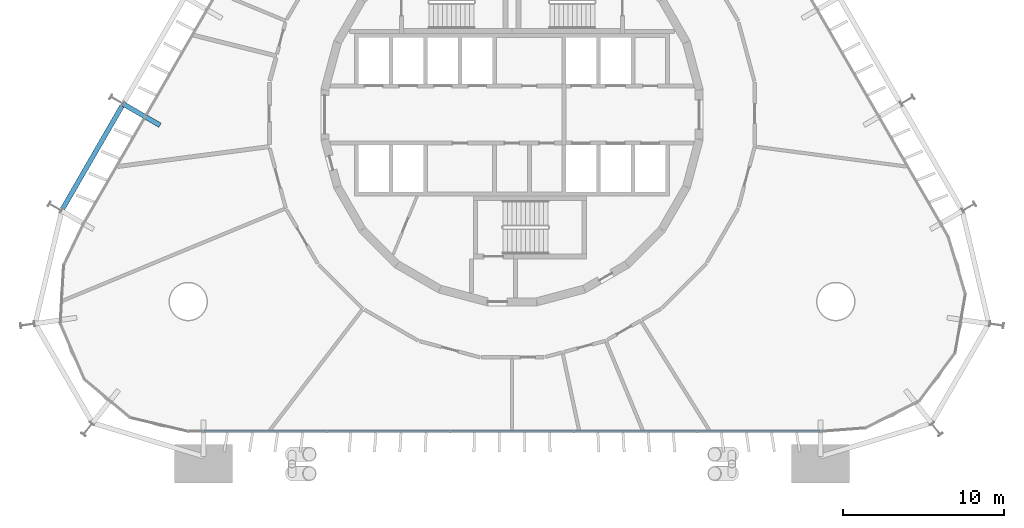
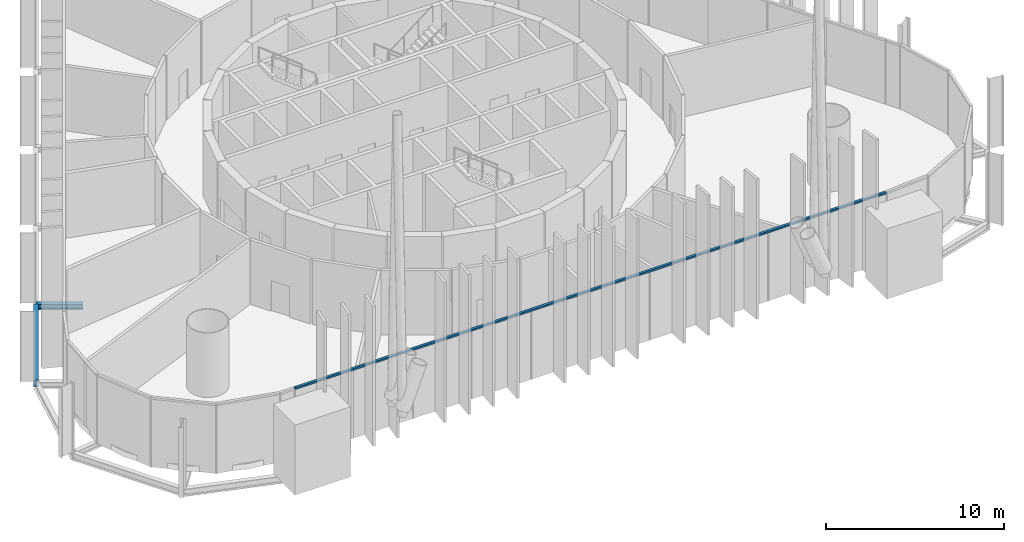
# One storey, part 5 of 18: 2 beams, 1 member, 1 element without a shape of its own.
"""IFC4 building model written with IfcOpenShell, lengths in metres."""

from ifc_helpers import new_model, si_unit, direction, frame, origin, origin_2d, place, context, subcontext, project, spatial, rectangle, i_section, extrude, material, layer, layer_set, material_profile, profile_set, type_object, element, aggregate, save


model = new_model("IFC4")

# Units and contexts
model_context = context("Model", 3, precision=1e-05, world=origin(), true_north=direction((0.0, 1.0)))
body_context = subcontext(model_context, "Body", "Model", "MODEL_VIEW")
ifc_project = project(units=[si_unit("LENGTHUNIT", "METRE"), si_unit("AREAUNIT", "SQUARE_METRE"), si_unit("VOLUMEUNIT", "CUBIC_METRE"), si_unit("PLANEANGLEUNIT", "RADIAN"), si_unit("MASSUNIT", "GRAM", prefix="KILO")], contexts=[model_context])

# Site, building, storey
site_placement = place(None, origin())
site = spatial("IfcSite", under=ifc_project, at=site_placement, CompositionType="ELEMENT")
building_placement = place(site_placement, origin())
building = spatial("IfcBuilding", under=site, at=building_placement, Name="Spindle Arch Residences", CompositionType="ELEMENT")
storey_placement = place(building_placement, frame((0.0, 0.0, 9.0)))
storey = spatial("IfcBuildingStorey", under=building, at=storey_placement, Name="L01", CompositionType="ELEMENT", Elevation=9.0)

# Curtain wall, member
ifc_material_1 = material(Name="Aluminium bronze unitised frame with tinted glass", Category="aluminium")
ifc_layer = layer(ifc_material_1, 0.159912109375)
ifc_layer_set = layer_set([ifc_layer], Name="CW-B amenity podium glazed wall")
curtain_wall_type = type_object("IfcCurtainWallType", Name="CW-B amenity podium glazed wall", PredefinedType="NOTDEFINED", material=ifc_layer_set)
curtain_wall_placement = place(storey_placement, origin())
curtain_wall = element("IfcCurtainWall", 1, at=curtain_wall_placement, inside=storey, type_object=curtain_wall_type, Name="CW-B L01 run 6", PredefinedType="NOTDEFINED")
ifc_material_2 = material(Name="Aluminium bronze anodised transom", Category="aluminium")
ifc_material_profile_1 = material_profile(ifc_material_2, rectangle(XDim=0.159912109375, YDim=0.1201171875, at=origin_2d()), Name="TR 120x160")
ifc_profile_set_1 = profile_set([ifc_material_profile_1], Name="Aluminium bronze anodised transom")
member_type = type_object("IfcMemberType", Name="Bronze transom 120x160", PredefinedType="USERDEFINED", material=ifc_profile_set_1)
member_placement = place(storey_placement, frame((-19.170166015625, -19.7099609375, 4.360107421875), z_axis=(1.0, 0.0, 0.0), x_axis=(0.0, 1.0, 0.0)))
member = element("IfcMember", 2, at=member_placement, type_object=member_type, Name="CW-B transom 00", ObjectType="TRANSOM", PredefinedType="USERDEFINED", context=body_context, shape_type="SweptSolid", body=[
    extrude(rectangle(XDim=0.159912109375, YDim=0.1201171875, at=origin_2d()), origin(), (0.0, 0.0, 1.0), 38.34033203125),
])
aggregate(curtain_wall, [member])

# Beams
ifc_material_3 = material(Name="Steel S460ML, intumescent coating R 120", Category="steel")
ifc_material_profile_2 = material_profile(ifc_material_3, i_section(OverallWidth=0.300048828125, OverallDepth=0.5, WebThickness=0.014404296875, FlangeThickness=0.028076171875, FilletRadius=0.027099609375, at=origin_2d()), Name="HEB 500")
ifc_profile_set_2 = profile_set([ifc_material_profile_2], Name="Steel S460ML, intumescent coating R 120")
beam_type_1 = type_object("IfcBeamType", Name="Exoskeleton edge beam HEB 500", PredefinedType="BEAM", material=ifc_profile_set_2)
beam_1_placement = place(storey_placement, frame((-24.25390625, 0.550537109375, -0.6298828125), z_axis=(-0.50002815445, -0.866009148195, 0.0), x_axis=(0.866009148195, -0.50002815445, 0.0)))
element("IfcBeam", 3, at=beam_1_placement, inside=storey, type_object=beam_type_1, Name="Exoskeleton edge beam 18", PredefinedType="BEAM", context=body_context, shape_type="SweptSolid", body=[
    extrude(i_section(OverallWidth=0.300048828125, OverallDepth=0.5, WebThickness=0.014404296875, FlangeThickness=0.028076171875, FilletRadius=0.027099609375, at=origin_2d()), origin(), (0.0, 0.0, 1.0), 7.419921875),
])
ifc_material_4 = material(Name="Steel S460ML, intumescent coating R 120", Category="steel")
ifc_material_profile_3 = material_profile(ifc_material_4, i_section(OverallWidth=0.300048828125, OverallDepth=0.389892578125, WebThickness=0.010986328125, FlangeThickness=0.01904296875, FilletRadius=0.027099609375, at=origin_2d()), Name="HEA 400")
ifc_profile_set_3 = profile_set([ifc_material_profile_3], Name="Steel S460ML, intumescent coating R 120")
beam_type_2 = type_object("IfcBeamType", Name="Floor outrigger HEA 400", PredefinedType="BEAM", material=ifc_profile_set_3)
beam_2_placement = place(storey_placement, frame((-24.18896484375, 0.6630859375, -0.574951171875), z_axis=(0.866029095148, -0.499993606316, 0.0), x_axis=(0.499993606316, 0.866029095148, 0.0)))
element("IfcBeam", 4, at=beam_2_placement, inside=storey, type_object=beam_type_2, Name="Floor outrigger 18", PredefinedType="BEAM", context=body_context, shape_type="SweptSolid", body=[
    extrude(i_section(OverallWidth=0.300048828125, OverallDepth=0.389892578125, WebThickness=0.010986328125, FlangeThickness=0.01904296875, FilletRadius=0.027099609375, at=origin_2d()), origin(), (0.0, 0.0, 1.0), 2.64990234375),
])

save(model, "model.ifc")
